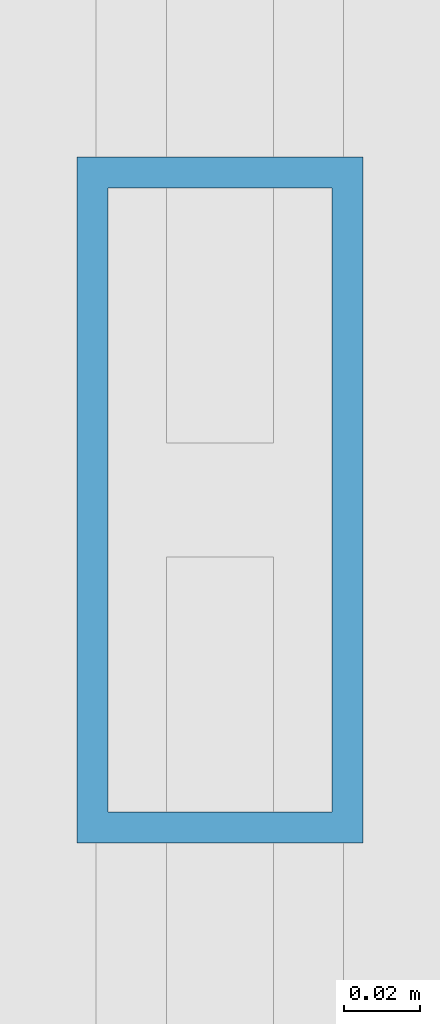
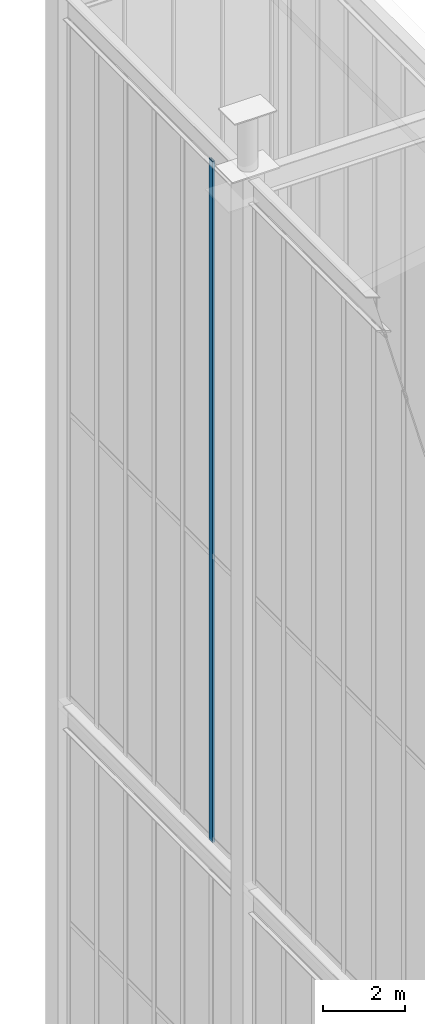
# One storey, part 88 of 135: 1 member, 1 element without a shape of its own.
"""IFC4 building model written with IfcOpenShell, lengths in metres."""

import ifcopenshell
import ifcopenshell.guid

model = None  # the IFC model being written
_history = None  # IfcOwnerHistory: only IFC2X3 demands one
_inside = {}  # id of a spatial element -> (the spatial element, [elements in it])
_under = {}  # id of a project, library or spatial element -> (it, [spatial elements below it])
_declared = {}  # id of a project -> (the project, [libraries it declares])
_typed = {}  # id of a type object -> (the type object, [elements of that type])
_made_of = {}  # id of a material, layer set ... -> (it, [elements and type objects made of it])


def new_model(schema):
    """Start an empty IFC model of exactly this schema.

    Asked for "IFC4X3", IfcOpenShell would pick the latest addendum, in which some entities
    have other attributes; the version numbers below select the first issue.
    IFC2X3 requires an IfcOwnerHistory on every rooted entity: one is made here for all.
    """
    global model, _history
    if schema == "IFC4X3":
        model = ifcopenshell.file(schema_version=(4, 3, 0, 0))
    else:
        model = ifcopenshell.file(schema=schema)
    _inside.clear()
    _under.clear()
    _declared.clear()
    _typed.clear()
    _made_of.clear()
    _history = None
    if model.schema == "IFC2X3":
        org = make("IfcOrganization", Name="unknown")
        user = make(
            "IfcPersonAndOrganization",
            ThePerson=make("IfcPerson", FamilyName="unknown"),
            TheOrganization=org,
        )
        app = make(
            "IfcApplication",
            ApplicationDeveloper=org,
            Version="unknown",
            ApplicationFullName="unknown",
            ApplicationIdentifier="unknown",
        )
        _history = make(
            "IfcOwnerHistory",
            OwningUser=user,
            OwningApplication=app,
            ChangeAction="ADDED",
            CreationDate=0,
        )
    return model


def make(cls, **values):
    """One entity of the class cls with the attributes given. An attribute that is None is left unset."""
    return model.create_entity(
        cls, **{name: value for name, value in values.items() if value is not None}
    )


def rooted(cls, **values):
    """An entity with a GlobalId (a new one), such as an element, a storey or a relation."""
    return make(cls, GlobalId=ifcopenshell.guid.new(), OwnerHistory=_history, **values)


def si_unit(unit_type, name, prefix=None):
    """IfcSIUnit, for example si_unit("LENGTHUNIT", "METRE", prefix="MILLI")."""
    return make("IfcSIUnit", UnitType=unit_type, Prefix=prefix, Name=name)


def assignment(units):
    """IfcUnitAssignment: the units of a project."""
    return None if units is None else make("IfcUnitAssignment", Units=units)


def point(xyz):
    """IfcCartesianPoint."""
    return None if xyz is None else make("IfcCartesianPoint", Coordinates=xyz)


def direction(xyz):
    """IfcDirection."""
    return None if xyz is None else make("IfcDirection", DirectionRatios=xyz)


def frame(location, z_axis=None, x_axis=None):
    """IfcAxis2Placement3D, a coordinate frame: its origin and axes. An axis left out is left unset."""
    return make(
        "IfcAxis2Placement3D",
        Location=point(location),
        Axis=direction(z_axis),
        RefDirection=direction(x_axis),
    )


def frame_2d(location, x_axis=None):
    """IfcAxis2Placement2D, a coordinate frame in the plane: its origin and x axis."""
    return make(
        "IfcAxis2Placement2D", Location=point(location), RefDirection=direction(x_axis)
    )


def origin():
    """The frame at (0, 0, 0) with its axes left unset."""
    return frame((0.0, 0.0, 0.0))


def origin_2d():
    """The frame at (0, 0) in the plane with its x axis left unset."""
    return frame_2d((0.0, 0.0))


def place(relative_to, where):
    """IfcLocalPlacement: puts the frame where relative to a parent placement (None: the world)."""
    return make(
        "IfcLocalPlacement", PlacementRelTo=relative_to, RelativePlacement=where
    )


def context(
    kind, dimensions, precision=None, world=None, true_north=None, identifier=None
):
    """IfcGeometricRepresentationContext, for example the 3D "Model" context."""
    return make(
        "IfcGeometricRepresentationContext",
        ContextIdentifier=identifier,
        ContextType=kind,
        CoordinateSpaceDimension=dimensions,
        Precision=precision,
        WorldCoordinateSystem=world,
        TrueNorth=true_north,
    )


def subcontext(parent, identifier, kind, view, scale=None):
    """IfcGeometricRepresentationSubContext, for example "Body" below "Model"."""
    return make(
        "IfcGeometricRepresentationSubContext",
        ContextIdentifier=identifier,
        ContextType=kind,
        ParentContext=parent,
        TargetScale=scale,
        TargetView=view,
    )


def project(units=None, contexts=None):
    """IfcProject with its units and contexts."""
    return rooted(
        "IfcProject",
        Name="project",
        RepresentationContexts=contexts,
        UnitsInContext=assignment(units),
    )


def spatial(cls, under=None, at=None, **own):
    """A site, building, storey or space (cls), placed at a placement, below another one or the project."""
    s = rooted(cls, ObjectPlacement=at, **own)
    if under is not None:
        _under.setdefault(under.id(), (under, []))[1].append(s)
    return s


def profile(cls, at=None, kind="AREA", **sizes):
    """A parametric profile (cls). Its sizes go by their IFC names, for example OverallWidth=200.0."""
    return make(cls, ProfileType=kind, Position=at, **sizes)


def hollow_rectangle(**sizes):
    """IfcRectangleHollowProfileDef."""
    return profile("IfcRectangleHollowProfileDef", **sizes)


def extrude(swept, where, along, depth):
    """IfcExtrudedAreaSolid: the profile swept, set in the frame where, extruded along a direction by depth."""
    return make(
        "IfcExtrudedAreaSolid",
        SweptArea=swept,
        Position=where,
        ExtrudedDirection=direction(along),
        Depth=depth,
    )


def shape(context_of_items, identifier, shape_type, items):
    """IfcShapeRepresentation: the items that make up one representation, for example the "Body"."""
    return make(
        "IfcShapeRepresentation",
        ContextOfItems=context_of_items,
        RepresentationIdentifier=identifier,
        RepresentationType=shape_type,
        Items=items,
    )


def source(mapping_origin, context_of_items, identifier, shape_type, items):
    """IfcRepresentationMap: a shape defined once, which mapped items show again and again."""
    return make(
        "IfcRepresentationMap",
        MappingOrigin=mapping_origin,
        MappedRepresentation=shape(context_of_items, identifier, shape_type, items),
    )


def transform(
    local_origin,
    x_axis=None,
    y_axis=None,
    z_axis=None,
    scale=None,
    scale2=None,
    scale3=None,
    uniform=True,
):
    """IfcCartesianTransformationOperator3D, or its non-uniform kind. x_axis, y_axis, z_axis: its Axis1, 2, 3."""
    if uniform:
        return make(
            "IfcCartesianTransformationOperator3D",
            Axis1=direction(x_axis),
            Axis2=direction(y_axis),
            LocalOrigin=point(local_origin),
            Scale=scale,
            Axis3=direction(z_axis),
        )
    return make(
        "IfcCartesianTransformationOperator3DnonUniform",
        Axis1=direction(x_axis),
        Axis2=direction(y_axis),
        LocalOrigin=point(local_origin),
        Scale=scale,
        Axis3=direction(z_axis),
        Scale2=scale2,
        Scale3=scale3,
    )


def mapped(mapping_source, mapping_target):
    """IfcMappedItem: shows the shape of a source again, moved by a transform."""
    return make(
        "IfcMappedItem", MappingSource=mapping_source, MappingTarget=mapping_target
    )


def material(Name=None, Category=None):
    """IfcMaterial."""
    return make("IfcMaterial", Name=Name, Category=Category)


def layer(
    of_material, thickness, ventilated=None, Name=None, Category=None, Priority=None
):
    """IfcMaterialLayer: one layer of a wall or slab, of a material (None: an air gap)."""
    return make(
        "IfcMaterialLayer",
        Material=of_material,
        LayerThickness=thickness,
        IsVentilated=ventilated,
        Name=Name,
        Category=Category,
        Priority=Priority,
    )


def layer_set(layers, Name=None):
    """IfcMaterialLayerSet."""
    return make("IfcMaterialLayerSet", MaterialLayers=layers, LayerSetName=Name)


def material_profile(
    of_material, cross_section, Name=None, Category=None, Priority=None
):
    """IfcMaterialProfile: a cross section and its material."""
    return make(
        "IfcMaterialProfile",
        Name=Name,
        Material=of_material,
        Profile=cross_section,
        Priority=Priority,
        Category=Category,
    )


def profile_set(profiles, Name=None, composite=None):
    """IfcMaterialProfileSet."""
    return make(
        "IfcMaterialProfileSet",
        Name=Name,
        MaterialProfiles=profiles,
        CompositeProfile=composite,
    )


def made_of(thing, what):
    """Note that an element or type object is made of a material, layer set ...; save() writes the relation."""
    if what is not None:
        _made_of.setdefault(what.id(), (what, []))[1].append(thing)
    return thing


def type_object(cls, material=None, **own):
    """A type object (cls), such as IfcWallType, which elements share."""
    return made_of(rooted(cls, **own), material)


def element(
    cls,
    number,
    at=None,
    inside=None,
    cuts=None,
    type_object=None,
    material=None,
    context=None,
    identifier="Body",
    shape_type=None,
    held_by="IfcProductDefinitionShape",
    body=None,
    shapes=None,
    **own,
):
    """One element of the class cls, such as IfcWall. Its Tag is "e" and its number.

    at: its placement. inside: the storey or other place that contains it. cuts: it is an
    opening in that element (IfcRelVoidsElement). A single representation is given by context,
    identifier, shape_type and body (its items); several are given by shapes. held_by: the class
    of the entity that holds the representations. save() writes the other relations.
    """
    e = rooted(cls, Tag="e%d" % number, ObjectPlacement=at, **own)
    if body is not None:
        shapes = [shape(context, identifier, shape_type, body)]
    if shapes is not None:
        e.Representation = make(held_by, Representations=shapes)
    if inside is not None:
        _inside.setdefault(inside.id(), (inside, []))[1].append(e)
    if cuts is not None:
        rooted(
            "IfcRelVoidsElement", RelatingBuildingElement=cuts, RelatedOpeningElement=e
        )
    if type_object is not None:
        _typed.setdefault(type_object.id(), (type_object, []))[1].append(e)
    return made_of(e, material)


def aggregate(whole, parts):
    """IfcRelAggregates: a whole, such as a stair, and the parts it consists of."""
    return rooted("IfcRelAggregates", RelatingObject=whole, RelatedObjects=parts)


def save(model, path):
    """Write the relations noted so far, then the file.

    IfcRelAggregates (storeys below a building ...), IfcRelContainedInSpatialStructure (elements
    in a storey), IfcRelDefinesByType, IfcRelAssociatesMaterial and IfcRelDeclares: one each for
    every whole, place, type object, material and project.
    """
    for whole, parts in _under.values():
        aggregate(whole, parts)
    for where, things in _inside.values():
        rooted(
            "IfcRelContainedInSpatialStructure",
            RelatedElements=things,
            RelatingStructure=where,
        )
    for kind, things in _typed.values():
        rooted("IfcRelDefinesByType", RelatedObjects=things, RelatingType=kind)
    for what, things in _made_of.values():
        rooted("IfcRelAssociatesMaterial", RelatedObjects=things, RelatingMaterial=what)
    for by, libraries in _declared.values():
        rooted("IfcRelDeclares", RelatingContext=by, RelatedDefinitions=libraries)
    model.write(path)


model = new_model("IFC4")

# Units and contexts
model_context = context("Model", 3, precision=1e-05, world=origin(), true_north=direction((0.0, 1.0)))
body_context = subcontext(model_context, "Body", "Model", "MODEL_VIEW")
ifc_project = project(units=[si_unit("LENGTHUNIT", "METRE"), si_unit("AREAUNIT", "SQUARE_METRE"), si_unit("VOLUMEUNIT", "CUBIC_METRE"), si_unit("PLANEANGLEUNIT", "RADIAN"), si_unit("MASSUNIT", "GRAM", prefix="KILO")], contexts=[model_context])

# Site, building, storey
site_placement = place(None, origin())
site = spatial("IfcSite", under=ifc_project, at=site_placement, CompositionType="ELEMENT")
building_placement = place(site_placement, origin())
building = spatial("IfcBuilding", under=site, at=building_placement, Name="Giltprow Tower", CompositionType="ELEMENT")
storey_placement = place(building_placement, frame((0.0, 0.0, 352.699951171875)))
storey = spatial("IfcBuildingStorey", under=building, at=storey_placement, Name="L92", CompositionType="ELEMENT", Elevation=352.699951171875)

# Curtain wall, member
ifc_material = material(Name="Anodized bronze", Category="metal")
ifc_layer = layer(ifc_material, 0.179931640625, Name="Anodized bronze")
ifc_layer_set = layer_set([ifc_layer], Name="Anodized bronze")
curtain_wall_type = type_object("IfcCurtainWallType", Name="CW-CROWN-LANTERN", PredefinedType="NOTDEFINED", material=ifc_layer_set)
curtain_wall_placement = place(storey_placement, origin())
curtain_wall = element("IfcCurtainWall", 1, at=curtain_wall_placement, inside=storey, type_object=curtain_wall_type, Name="Crown East Upper Lantern Glazing 5", PredefinedType="NOTDEFINED")
ifc_material_profile = material_profile(ifc_material, hollow_rectangle(XDim=0.074951171875, YDim=0.179931640625, WallThickness=0.008056640625, at=origin_2d()), Name="RHS 180x75x8")
ifc_profile_set = profile_set([ifc_material_profile], Name="Anodized bronze")
member_type = type_object("IfcMemberType", Name="CW-MULLION-180x75", PredefinedType="MULLION", material=ifc_profile_set)
shared_shape = source(origin(), body_context, "Body", "SweptSolid", [
    extrude(hollow_rectangle(XDim=0.074951171875, YDim=0.179931640625, WallThickness=0.008056640625, at=origin_2d()), origin(), (0.0, 0.0, 1.0), 20.406005859375),
])
member_placement = place(storey_placement, frame((44.300048828125, 39.199951171875, 17.25), z_axis=(0.0, 0.0, 1.0), x_axis=(1.0, 0.0, 0.0)))
member = element("IfcMember", 2, at=member_placement, type_object=member_type, Name="Crown East Upper Lantern Glazing 5 Mullion 6", PredefinedType="MULLION", context=body_context, shape_type="MappedRepresentation", body=[
    mapped(shared_shape, transform((0.0, 0.0, 0.0), x_axis=(1.0, 0.0, 0.0), y_axis=(0.0, 1.0, 0.0), z_axis=(0.0, 0.0, 1.0), scale=1.0)),
])
aggregate(curtain_wall, [member])

save(model, "model.ifc")
